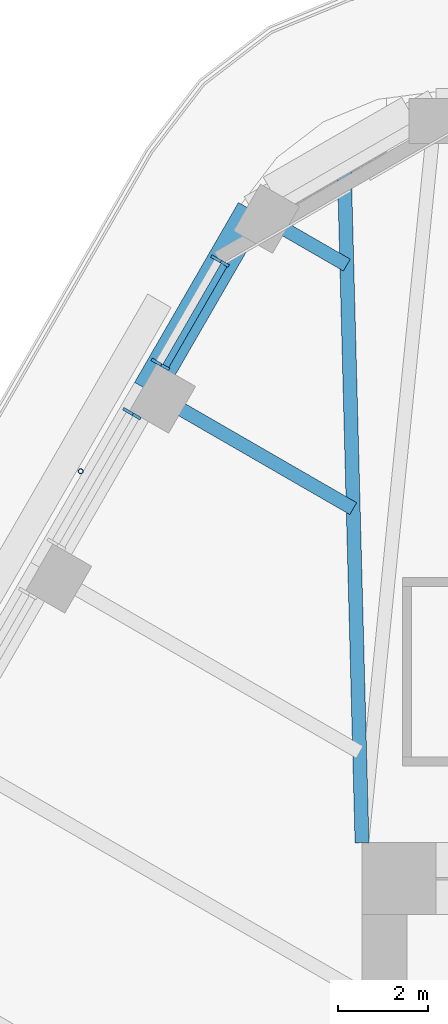
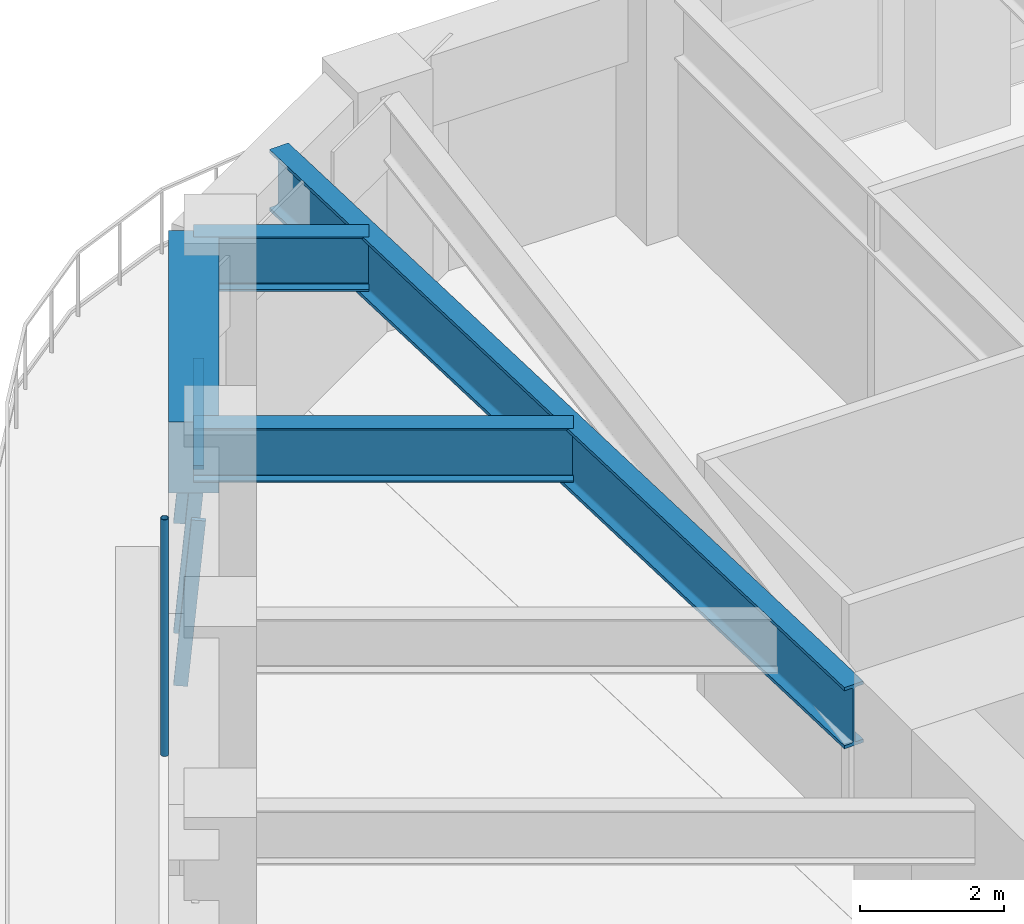
# One storey, part 8 of 20: 5 members, 4 beams, 2 elements without a shape of their own.
"""IFC4 building model written with IfcOpenShell, lengths in metres."""

from ifc_helpers import new_model, si_unit, direction, frame, origin, origin_2d, place, context, subcontext, project, spatial, rectangle, hollow_circle, i_section, extrude, material, material_profile, profile_set, type_object, element, aggregate, save


model = new_model("IFC4")

# Units and contexts
model_context = context("Model", 3, precision=1e-05, world=origin(), true_north=direction((0.0, 1.0)))
body_context = subcontext(model_context, "Body", "Model", "MODEL_VIEW")
ifc_project = project(units=[si_unit("LENGTHUNIT", "METRE"), si_unit("AREAUNIT", "SQUARE_METRE"), si_unit("VOLUMEUNIT", "CUBIC_METRE"), si_unit("PLANEANGLEUNIT", "RADIAN"), si_unit("MASSUNIT", "GRAM", prefix="KILO")], contexts=[model_context])

# Site, building, storey
site_placement = place(None, origin())
site = spatial("IfcSite", under=ifc_project, at=site_placement, CompositionType="ELEMENT")
building_placement = place(site_placement, origin())
building = spatial("IfcBuilding", under=site, at=building_placement, Name="Tarfa Lantern Tower", CompositionType="ELEMENT")
storey_placement = place(building_placement, frame((0.0, 0.0, 270.10009765625)))
storey = spatial("IfcBuildingStorey", under=building, at=storey_placement, Name="L61", CompositionType="ELEMENT", Elevation=270.10009765625)

# Curtain wall, members
ifc_material_1 = material(Name="Aluminium framed curtain wall", Category="aluminium")
curtain_wall_type = type_object("IfcCurtainWallType", Name="CW3 CANTED GLAZING HIGH ZONE 2800", PredefinedType="USERDEFINED", material=ifc_material_1)
curtain_wall_1_placement = place(storey_placement, origin())
curtain_wall_1 = element("IfcCurtainWall", 1, at=curtain_wall_1_placement, inside=storey, type_object=curtain_wall_type, Name="CW3 NW L61", ObjectType="CURTAIN WALL", PredefinedType="USERDEFINED")
ifc_material_2 = material(Name="Aluminium mullion", Category="aluminium")
ifc_material_profile_1 = material_profile(ifc_material_2, rectangle(XDim=0.06494140625, YDim=0.199951171875, at=origin_2d()), Name="AL MULLION 65x200")
ifc_profile_set_1 = profile_set([ifc_material_profile_1], Name="Aluminium mullion")
member_type_1 = type_object("IfcMemberType", Name="CWM1 MULLION 65x200", PredefinedType="MULLION", material=ifc_profile_set_1)
member_1_placement = place(storey_placement, frame((-18.76611328125, 25.296142578125, 0.0), z_axis=(0.077039050765, -0.044468989844, 0.996035889715), x_axis=(0.499919672301, 0.866071776036, 0.0)))
member_1 = element("IfcMember", 2, at=member_1_placement, type_object=member_type_1, Name="CW3 mullion 1", PredefinedType="MULLION", context=body_context, shape_type="SweptSolid", body=[
    extrude(rectangle(XDim=0.06494140625, YDim=0.199951171875, at=origin_2d()), origin(), (0.0, 0.0, 1.0), 2.81103515625),
])
member_2_placement = place(storey_placement, frame((-20.093017578125, 22.997802734375, 0.0), z_axis=(0.077039050765, -0.044468989844, 0.996035889715), x_axis=(0.499919672301, 0.866071776036, 0.0)))
member_2 = element("IfcMember", 3, at=member_2_placement, type_object=member_type_1, Name="CW3 mullion 2", PredefinedType="MULLION", context=body_context, shape_type="SweptSolid", body=[
    extrude(rectangle(XDim=0.06494140625, YDim=0.199951171875, at=origin_2d()), origin(), (0.0, 0.0, 1.0), 2.81103515625),
])

# Curtain wall, member
curtain_wall_2_placement = place(storey_placement, origin())
curtain_wall_2 = element("IfcCurtainWall", 4, at=curtain_wall_2_placement, inside=storey, type_object=curtain_wall_type, Name="CW3 NW L61", ObjectType="CURTAIN WALL", PredefinedType="USERDEFINED")
member_3_placement = place(storey_placement, frame((-20.7255859375, 21.90234375, 0.0), z_axis=(0.077039050765, -0.044468989844, 0.996035889715), x_axis=(0.499919672301, 0.866071776036, 0.0)))
member_3 = element("IfcMember", 5, at=member_3_placement, type_object=member_type_1, Name="CW3 mullion 1", PredefinedType="MULLION", context=body_context, shape_type="SweptSolid", body=[
    extrude(rectangle(XDim=0.06494140625, YDim=0.199951171875, at=origin_2d()), origin(), (0.0, 0.0, 1.0), 2.81103515625),
])
aggregate(curtain_wall_2, [member_3])

# Member
ifc_material_3 = material(Name="Aluminium transom", Category="aluminium")
ifc_material_profile_2 = material_profile(ifc_material_3, rectangle(XDim=0.14990234375, YDim=0.06494140625, at=origin_2d()), Name="AL TRANSOM 150x65")
ifc_profile_set_2 = profile_set([ifc_material_profile_2], Name="Aluminium transom")
member_type_2 = type_object("IfcMemberType", Name="CWT1 TRANSOM 150x65", PredefinedType="USERDEFINED", material=ifc_profile_set_2)
member_4_placement = place(storey_placement, frame((-18.568359375, 25.144287109375, 2.767333984375), z_axis=(-0.5000136139, -0.866017543653, 0.0), x_axis=(0.866017543653, -0.5000136139, 0.0)))
member_4 = element("IfcMember", 6, at=member_4_placement, type_object=member_type_2, Name="CW3 transom 1.2", ObjectType="TRANSOM", PredefinedType="USERDEFINED", context=body_context, shape_type="SweptSolid", body=[
    extrude(rectangle(XDim=0.14990234375, YDim=0.06494140625, at=origin_2d()), origin(), (0.0, 0.0, 1.0), 2.5888671875),
])

aggregate(curtain_wall_1, [member_1, member_2, member_4])

# Beam
ifc_material_4 = material(Name="Concrete C80/95", Category="concrete")
ifc_material_profile_3 = material_profile(ifc_material_4, rectangle(XDim=0.699951171875, YDim=1.199951171875, at=origin_2d()), Name="RC 700x1200")
ifc_profile_set_3 = profile_set([ifc_material_profile_3], Name="Concrete C80/95")
beam_type_1 = type_object("IfcBeamType", Name="EB3 RC 700x1200", PredefinedType="SPANDREL", material=ifc_profile_set_3)
beam_1_placement = place(storey_placement, frame((-17.944091796875, 26.360107421875, 3.39990234375), z_axis=(-0.499987836815, -0.866032426089, 0.0), x_axis=(0.866032426089, -0.499987836815, 0.0)))
element("IfcBeam", 7, at=beam_1_placement, inside=storey, type_object=beam_type_1, Name="Edge beam NW0", PredefinedType="SPANDREL", context=body_context, shape_type="SweptSolid", body=[
    extrude(rectangle(XDim=0.699951171875, YDim=1.199951171875, at=origin_2d()), origin(), (0.0, 0.0, 1.0), 4.61865234375),
])

# Member
ifc_material_5 = material(Name="Steel S355", Category="steel")
ifc_material_profile_4 = material_profile(ifc_material_5, hollow_circle(Radius=0.05712890625, WallThickness=0.00634765625, at=origin_2d()), Name="CHS114.3x6.3")
ifc_profile_set_4 = profile_set([ifc_material_profile_4], Name="Steel S355")
member_type_3 = type_object("IfcMemberType", Name="TR1 GREEN WALL TRELLIS CHS114.3x6.3", PredefinedType="USERDEFINED", material=ifc_profile_set_4)
member_5_placement = place(storey_placement, frame((-21.754638671875, 20.56005859375, 0.0), z_axis=(0.0, 0.0, 1.0), x_axis=(1.0, 0.0, 0.0)))
element("IfcMember", 8, at=member_5_placement, inside=storey, type_object=member_type_3, Name="Trellis post NW 1", ObjectType="TRELLIS", PredefinedType="USERDEFINED", context=body_context, shape_type="SweptSolid", body=[
    extrude(hollow_circle(Radius=0.05712890625, WallThickness=0.00634765625, at=origin_2d()), origin(), (0.0, 0.0, 1.0), 4.0),
])

# Beams
ifc_material_6 = material(Name="Steel S460M", Category="steel")
ifc_material_profile_5 = material_profile(ifc_material_6, i_section(OverallWidth=0.30859375, OverallDepth=1.036376953125, WebThickness=0.030029296875, FlangeThickness=0.05419921875, FilletRadius=0.030029296875, at=origin_2d()), Name="UB1016x305x487")
ifc_profile_set_5 = profile_set([ifc_material_profile_5], Name="Steel S460M")
beam_type_2 = type_object("IfcBeamType", Name="UB1016x305x487", PredefinedType="BEAM", material=ifc_profile_set_5)
beam_2_placement = place(storey_placement, frame((-15.5, 12.300048828125, 3.481689453125), z_axis=(-0.026247301989, 0.999655480222, 0.0), x_axis=(-0.999655480222, -0.026247301989, 0.0)))
element("IfcBeam", 9, at=beam_2_placement, inside=storey, type_object=beam_type_2, Name="Hip girder NW", PredefinedType="BEAM", context=body_context, shape_type="SweptSolid", body=[
    extrude(i_section(OverallWidth=0.30859375, OverallDepth=1.036376953125, WebThickness=0.030029296875, FlangeThickness=0.05419921875, FilletRadius=0.030029296875, at=origin_2d()), origin(), (0.0, 0.0, 1.0), 15.245361328125),
])
ifc_material_profile_6 = material_profile(ifc_material_6, i_section(OverallWidth=0.305419921875, OverallDepth=0.91845703125, WebThickness=0.017333984375, FlangeThickness=0.02783203125, FilletRadius=0.01904296875, at=origin_2d()), Name="UB914x305x253")
ifc_profile_set_6 = profile_set([ifc_material_profile_6], Name="Steel S460M")
beam_type_3 = type_object("IfcBeamType", Name="UB914x305x253", PredefinedType="BEAM", material=ifc_profile_set_6)
beam_3_placement = place(storey_placement, frame((-17.944091796875, 26.360107421875, 3.540771484375), z_axis=(0.865980009423, -0.5000786171, 0.0), x_axis=(0.5000786171, 0.865980009423, 0.0)))
element("IfcBeam", 10, at=beam_3_placement, inside=storey, type_object=beam_type_3, Name="Floor beam NW0", PredefinedType="BEAM", context=body_context, shape_type="SweptSolid", body=[
    extrude(i_section(OverallWidth=0.305419921875, OverallDepth=0.91845703125, WebThickness=0.017333984375, FlangeThickness=0.02783203125, FilletRadius=0.01904296875, at=origin_2d()), origin(), (0.0, 0.0, 1.0), 2.4326171875),
])
beam_4_placement = place(storey_placement, frame((-20.25341796875, 22.360107421875, 3.540771484375), z_axis=(0.86601951648, -0.500010196972, 0.0), x_axis=(0.500010196972, 0.86601951648, 0.0)))
element("IfcBeam", 11, at=beam_4_placement, inside=storey, type_object=beam_type_3, Name="Floor beam NW1", PredefinedType="BEAM", context=body_context, shape_type="SweptSolid", body=[
    extrude(i_section(OverallWidth=0.305419921875, OverallDepth=0.91845703125, WebThickness=0.017333984375, FlangeThickness=0.02783203125, FilletRadius=0.01904296875, at=origin_2d()), origin(), (0.0, 0.0, 1.0), 5.263671875),
])

save(model, "model.ifc")
